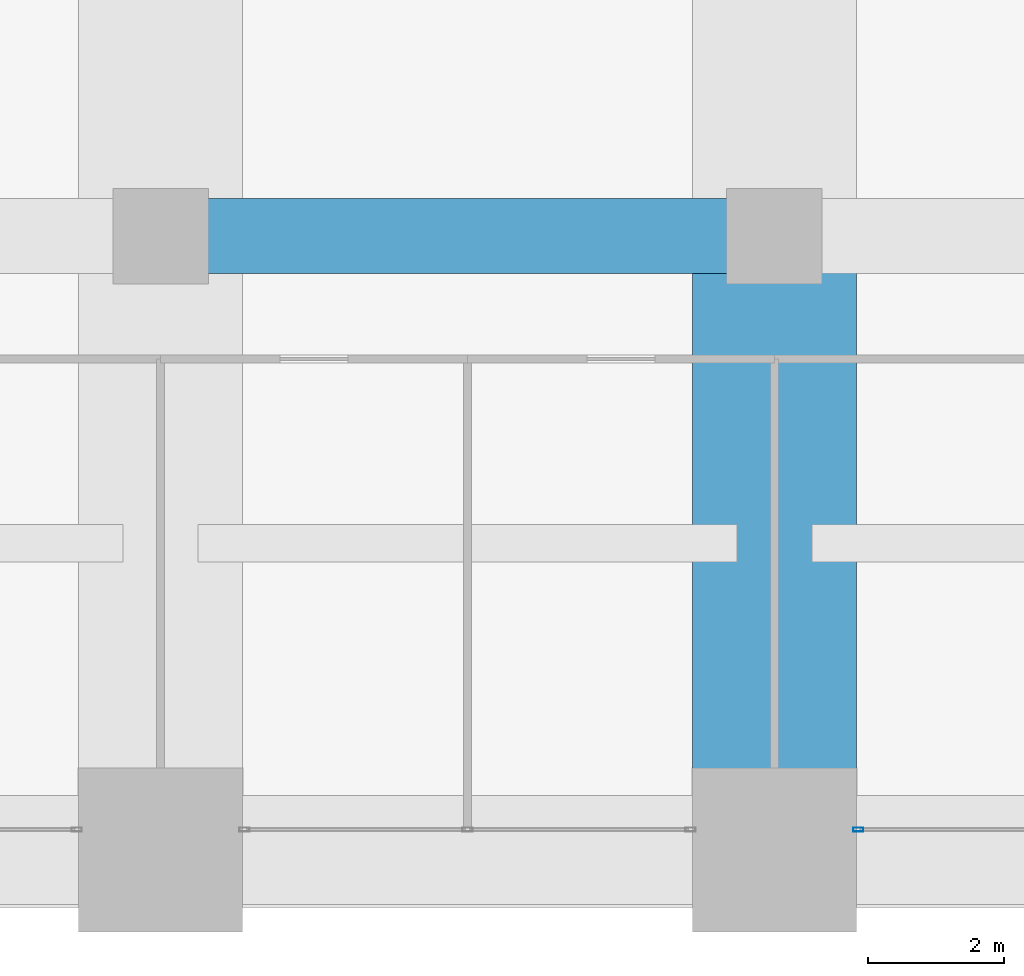
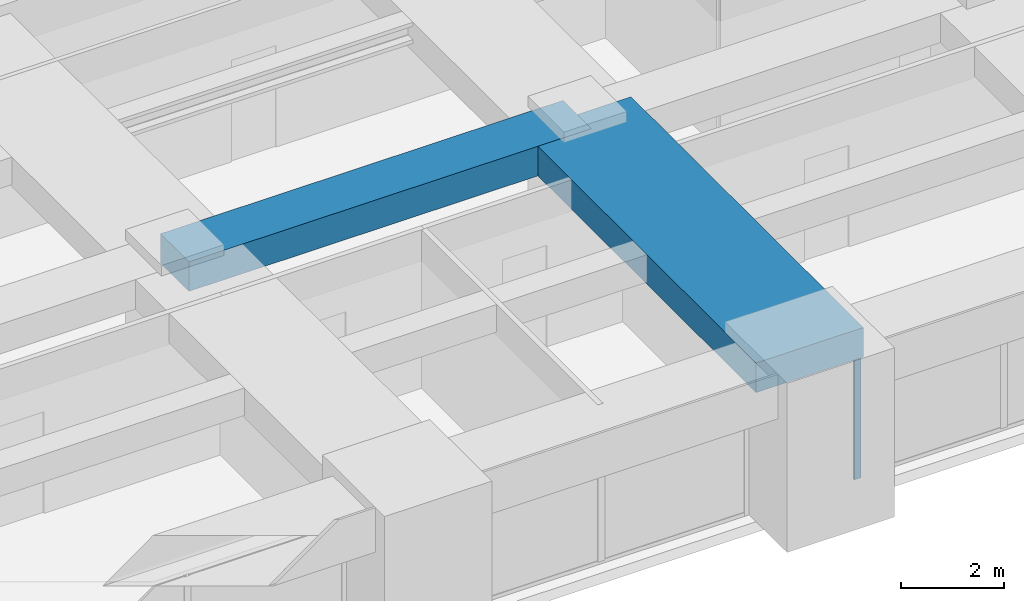
# One storey, part 7 of 35: 2 beams, 1 member, 1 element without a shape of its own.
"""IFC4 building model written with IfcOpenShell, lengths in metres."""

from ifc_helpers import new_model, si_unit, direction, frame, origin, origin_2d, place, context, subcontext, project, spatial, rectangle, hollow_rectangle, extrude, material, material_profile, profile_set, type_object, element, aggregate, save


model = new_model("IFC4")

# Units and contexts
model_context = context("Model", 3, precision=1e-05, world=origin(), true_north=direction((0.0, 1.0)))
body_context = subcontext(model_context, "Body", "Model", "MODEL_VIEW")
ifc_project = project(units=[si_unit("LENGTHUNIT", "METRE"), si_unit("AREAUNIT", "SQUARE_METRE"), si_unit("VOLUMEUNIT", "CUBIC_METRE"), si_unit("PLANEANGLEUNIT", "RADIAN"), si_unit("MASSUNIT", "GRAM", prefix="KILO")], contexts=[model_context])

# Site, building, storey
site_placement = place(None, origin())
site = spatial("IfcSite", under=ifc_project, at=site_placement, CompositionType="ELEMENT")
building_placement = place(site_placement, origin())
building = spatial("IfcBuilding", under=site, at=building_placement, Name="Zorevar Civic Tower", CompositionType="ELEMENT")
storey_placement = place(building_placement, frame((0.0, 0.0, 218.199951171875)))
storey = spatial("IfcBuildingStorey", under=building, at=storey_placement, Name="L53", CompositionType="ELEMENT", Elevation=218.199951171875)

# Beams
ifc_material_1 = material(Name="Concrete C50/60", Category="concrete")
ifc_material_profile_1 = material_profile(ifc_material_1, rectangle(XDim=1.10009765625, YDim=0.699951171875, at=origin_2d()), Name="RC 1100x700")
ifc_profile_set_1 = profile_set([ifc_material_profile_1], Name="Concrete C50/60")
beam_type_1 = type_object("IfcBeamType", Name="Beam RC 1100x700", PredefinedType="BEAM", material=ifc_profile_set_1)
beam_1_placement = place(storey_placement, frame((18.0, 9.0, 3.400146484375), z_axis=(1.0, 0.0, 0.0), x_axis=(0.0, 1.0, 0.0)))
element("IfcBeam", 1, at=beam_1_placement, inside=storey, type_object=beam_type_1, Name="Girder L54", PredefinedType="BEAM", context=body_context, shape_type="SweptSolid", body=[
    extrude(rectangle(XDim=1.10009765625, YDim=0.699951171875, at=origin_2d()), origin(), (0.0, 0.0, 1.0), 9.0),
])
ifc_material_2 = material(Name="Concrete C50/60", Category="concrete")
ifc_material_profile_2 = material_profile(ifc_material_2, rectangle(XDim=2.39990234375, YDim=0.699951171875, at=origin_2d()), Name="RC 2400x700")
ifc_profile_set_2 = profile_set([ifc_material_profile_2], Name="Concrete C50/60")
beam_type_2 = type_object("IfcBeamType", Name="Beam RC 2400x700", PredefinedType="BEAM", material=ifc_profile_set_2)
beam_2_placement = place(storey_placement, frame((27.0, 0.0, 3.400146484375), z_axis=(0.0, 1.0, 0.0), x_axis=(-1.0, 0.0, 0.0)))
element("IfcBeam", 2, at=beam_2_placement, inside=storey, type_object=beam_type_2, Name="Girder L54", PredefinedType="BEAM", context=body_context, shape_type="SweptSolid", body=[
    extrude(rectangle(XDim=2.39990234375, YDim=0.699951171875, at=origin_2d()), origin(), (0.0, 0.0, 1.0), 9.0),
])

# Curtain wall, member
ifc_material_3 = material(Name="Dark grey solar-control glass in black aluminium frame", Category="aluminium")
curtain_wall_type = type_object("IfcCurtainWallType", Name="Curtain wall CW4 high zone", PredefinedType="NOTDEFINED", material=ifc_material_3)
curtain_wall_placement = place(storey_placement, origin())
curtain_wall = element("IfcCurtainWall", 3, at=curtain_wall_placement, inside=storey, type_object=curtain_wall_type, Name="CW4 L53", PredefinedType="NOTDEFINED")
ifc_material_4 = material(Name="Aluminium, black anodised", Category="aluminium")
ifc_material_profile_3 = material_profile(ifc_material_4, hollow_rectangle(XDim=0.06005859375, YDim=0.14990234375, WallThickness=0.00390625, at=origin_2d()), Name="AL 150x60x4")
ifc_profile_set_3 = profile_set([ifc_material_profile_3], Name="Aluminium, black anodised")
member_type = type_object("IfcMemberType", Name="CW4 mullion AL 150x60x4", PredefinedType="MULLION", material=ifc_profile_set_3)
member_placement = place(storey_placement, frame((28.22998046875, 0.300048828125, 0.0), z_axis=(0.0, 0.0, 1.0), x_axis=(0.0, 1.0, 0.0)))
member = element("IfcMember", 4, at=member_placement, type_object=member_type, Name="CW4 mullion 1", PredefinedType="MULLION", context=body_context, shape_type="SweptSolid", body=[
    extrude(hollow_rectangle(XDim=0.06005859375, YDim=0.14990234375, WallThickness=0.00390625, at=origin_2d()), origin(), (0.0, 0.0, 1.0), 2.949951171875),
])
aggregate(curtain_wall, [member])

save(model, "model.ifc")
